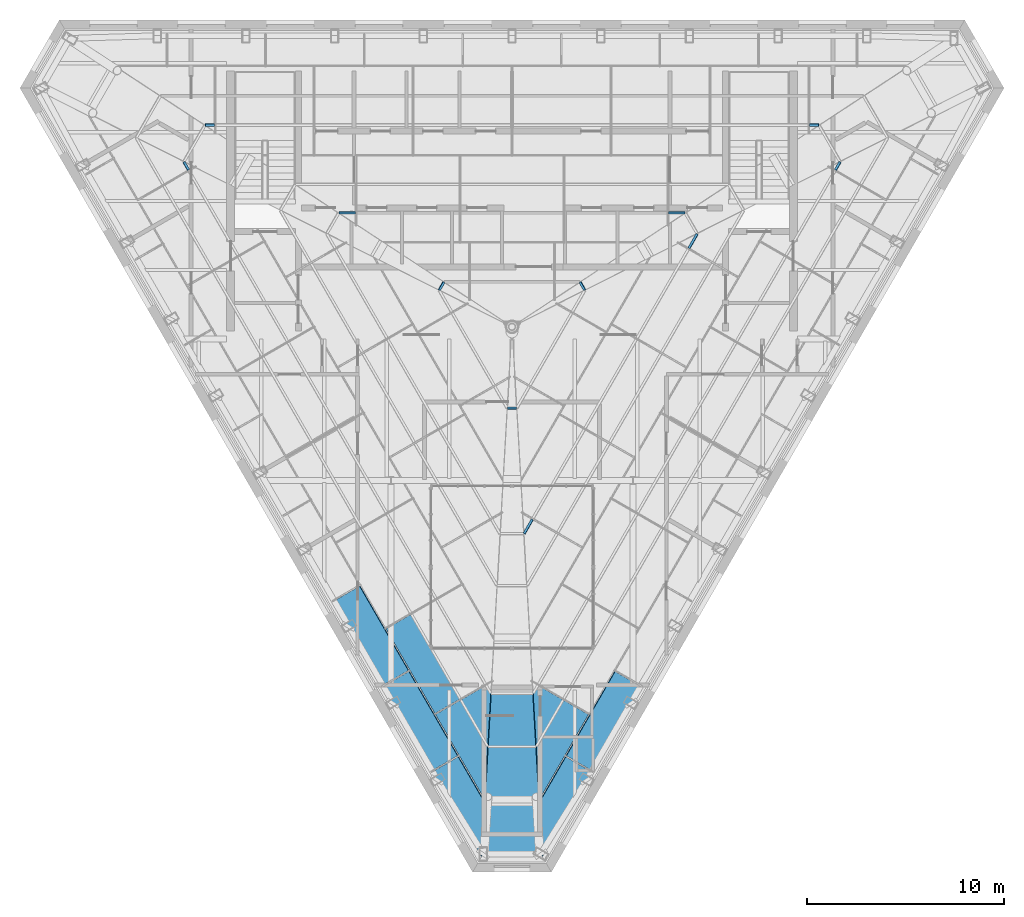
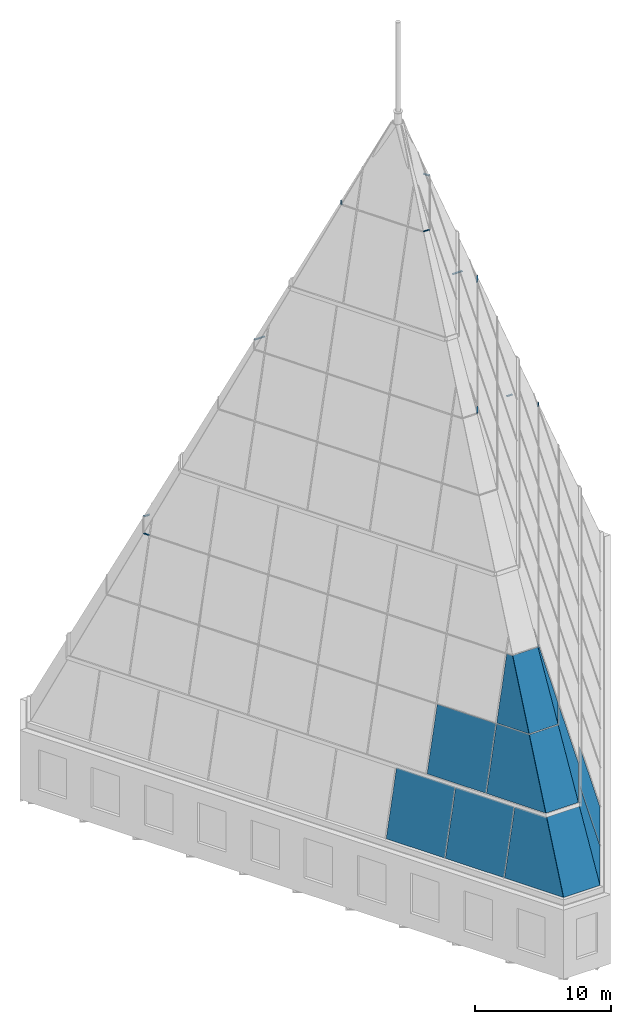
# One storey, part 24 of 36: 13 plates, 11 members, 12 elements without a shape of their own.
"""IFC4 building model written with IfcOpenShell, lengths in metres."""

from ifc_helpers import new_model, si_unit, direction, frame, origin, origin_2d, place, context, subcontext, project, spatial, polyline, rectangle, outline, extrude, clip, halfspace, material, layer, layer_set, material_profile, profile_set, type_object, element, aggregate, save


model = new_model("IFC4")

# Units and contexts
model_context = context("Model", 3, precision=1e-05, world=origin(), true_north=direction((0.0, 1.0)))
body_context = subcontext(model_context, "Body", "Model", "MODEL_VIEW")
ifc_project = project(units=[si_unit("LENGTHUNIT", "METRE"), si_unit("AREAUNIT", "SQUARE_METRE"), si_unit("VOLUMEUNIT", "CUBIC_METRE"), si_unit("PLANEANGLEUNIT", "RADIAN"), si_unit("MASSUNIT", "GRAM", prefix="KILO")], contexts=[model_context])

# Site, building, storey
site_placement = place(None, origin())
site = spatial("IfcSite", under=ifc_project, at=site_placement, CompositionType="ELEMENT")
building_placement = place(site_placement, origin())
building = spatial("IfcBuilding", under=site, at=building_placement, Name="Njiva Tower", CompositionType="ELEMENT")
storey_placement = place(building_placement, frame((0.0, 0.0, 337.8)))
storey = spatial("IfcBuildingStorey", under=building, at=storey_placement, Name="L77", CompositionType="ELEMENT", Elevation=337.8)

# Curtain wall, members
ifc_material_1 = material(Name="Glazed curtain wall", Category="glass")
ifc_layer_1 = layer(ifc_material_1, 0.16)
ifc_layer_set_1 = layer_set([ifc_layer_1], Name="Glazed curtain wall")
curtain_wall_type_1 = type_object("IfcCurtainWallType", Name="CW2 Crown glazing, faceted point, long faces", PredefinedType="NOTDEFINED", material=ifc_layer_set_1)
curtain_wall_1_placement = place(storey_placement, origin())
curtain_wall_1 = element("IfcCurtainWall", 1, at=curtain_wall_1_placement, inside=storey, type_object=curtain_wall_type_1, Name="Crown glazing face N tier 2", PredefinedType="NOTDEFINED")
ifc_material_2 = material(Name="Aluminium transom", Category="aluminium")
ifc_material_profile_1 = material_profile(ifc_material_2, rectangle(XDim=0.12, YDim=0.06, at=origin_2d()), Name="RECT 120x60")
ifc_profile_set_1 = profile_set([ifc_material_profile_1], Name="Aluminium transom")
member_type_1 = type_object("IfcMemberType", Name="CW2-T Crown glazing transom 120x60", PredefinedType="USERDEFINED", material=ifc_profile_set_1)
member_1_placement = place(storey_placement, frame((15.5934, 14.8625, 22.9905), z_axis=(-1.0, 0.0, 0.0), x_axis=(0.0, 0.963854689739, 0.266428483965)))
member_1 = element("IfcMember", 2, at=member_1_placement, type_object=member_type_1, Name="CW2-12 transom 1.2", ObjectType="TRANSOM", PredefinedType="USERDEFINED", context=body_context, shape_type="Clipping", body=[
    clip(extrude(rectangle(XDim=0.12, YDim=0.06, at=origin_2d()), origin(), (0.0, 0.0, 1.0), 0.4748), halfspace(frame((0.06, 0.0, 0.0), z_axis=(1.51e-10, -0.37621497384, -0.926532402811), x_axis=(0.0, -0.926532402811, 0.37621497384)), False)),
])
member_2_placement = place(storey_placement, frame((-15.1186, 14.8625, 22.9905), z_axis=(-1.0, 0.0, 0.0), x_axis=(0.0, 0.963854689739, 0.266428483965)))
member_2 = element("IfcMember", 3, at=member_2_placement, type_object=member_type_1, Name="CW2-12 transom 8.2", ObjectType="TRANSOM", PredefinedType="USERDEFINED", context=body_context, shape_type="Clipping", body=[
    clip(extrude(rectangle(XDim=0.12, YDim=0.06, at=origin_2d()), origin(), (0.0, 0.0, 1.0), 0.4748), halfspace(frame((0.06, 0.0, 0.4748), z_axis=(1.51e-10, -0.37621497384, 0.926532402811), x_axis=(0.0, 0.926532402811, 0.37621497384)), False)),
])
aggregate(curtain_wall_1, [member_1, member_2])

curtain_wall_2_placement = place(storey_placement, origin())
curtain_wall_2 = element("IfcCurtainWall", 4, at=curtain_wall_2_placement, inside=storey, type_object=curtain_wall_type_1, Name="Crown glazing face N tier 3", PredefinedType="NOTDEFINED")
member_3_placement = place(storey_placement, frame((8.7968, 10.4029, 39.1238), z_axis=(-1.0, 0.0, 0.0), x_axis=(0.0, 0.963854689744, 0.266428483949)))
member_3 = element("IfcMember", 5, at=member_3_placement, type_object=member_type_1, Name="CW2-13 transom 1.2", ObjectType="TRANSOM", PredefinedType="USERDEFINED", context=body_context, shape_type="Clipping", body=[
    clip(extrude(rectangle(XDim=0.12, YDim=0.06, at=origin_2d()), origin(), (0.0, 0.0, 1.0), 0.8413), halfspace(frame((0.06, 0.0, 0.0), z_axis=(1.45e-10, -0.37621497384, -0.926532402811), x_axis=(0.0, -0.926532402811, 0.37621497384)), False)),
])
member_4_placement = place(storey_placement, frame((-7.9555, 10.4029, 39.1238), z_axis=(-1.0, 0.0, 0.0), x_axis=(0.0, 0.963854689744, 0.266428483949)))
member_4 = element("IfcMember", 6, at=member_4_placement, type_object=member_type_1, Name="CW2-13 transom 5.2", ObjectType="TRANSOM", PredefinedType="USERDEFINED", context=body_context, shape_type="Clipping", body=[
    clip(extrude(rectangle(XDim=0.12, YDim=0.06, at=origin_2d()), origin(), (0.0, 0.0, 1.0), 0.8413), halfspace(frame((0.06, 0.0, 0.8413), z_axis=(1.45e-10, -0.37621497384, 0.926532402811), x_axis=(0.0, 0.926532402811, 0.37621497384)), False)),
])
aggregate(curtain_wall_2, [member_3, member_4])

# Curtain wall, member
curtain_wall_3_placement = place(storey_placement, origin())
curtain_wall_3 = element("IfcCurtainWall", 7, at=curtain_wall_3_placement, inside=storey, type_object=curtain_wall_type_1, Name="Crown glazing face SW tier 2", PredefinedType="NOTDEFINED")
member_5_placement = place(storey_placement, frame((-16.6742, 12.9903, 22.9905), z_axis=(0.499989842173, -0.866031268329, 0.0), x_axis=(-0.83472829944, -0.4819175542, 0.266428483965)))
member_5 = element("IfcMember", 8, at=member_5_placement, type_object=member_type_1, Name="CW2-32 transom 1.2", ObjectType="TRANSOM", PredefinedType="USERDEFINED", context=body_context, shape_type="Clipping", body=[
    clip(extrude(rectangle(XDim=0.12, YDim=0.06, at=origin_2d()), origin(), (0.0, 0.0, 1.0), 0.4748), halfspace(frame((0.06, 0.0, -0.0001), z_axis=(1.0474174e-05, -0.376212078697, -0.926533578308), x_axis=(0.0, -0.926533578359, 0.376212078718)), False)),
])

curtain_wall_4_placement = place(storey_placement, origin())
curtain_wall_4 = element("IfcCurtainWall", 9, at=curtain_wall_4_placement, inside=storey, type_object=curtain_wall_type_1, Name="Crown glazing face SE tier 2", PredefinedType="NOTDEFINED")
member_6_placement = place(storey_placement, frame((16.4368, 12.5791, 22.9905), z_axis=(0.499989842173, 0.866031268329, 0.0), x_axis=(0.83472829944, -0.4819175542, 0.266428483965)))
member_6 = element("IfcMember", 10, at=member_6_placement, type_object=member_type_1, Name="CW2-52 transom 8.2", ObjectType="TRANSOM", PredefinedType="USERDEFINED", context=body_context, shape_type="Clipping", body=[
    clip(extrude(rectangle(XDim=0.12, YDim=0.06, at=origin_2d()), origin(), (0.0, 0.0, 1.0), 0.4748), halfspace(frame((0.06, 0.0, 0.4749), z_axis=(1.0474174e-05, -0.376212078697, 0.926533578308), x_axis=(0.0, 0.926533578359, 0.376212078718)), False)),
])

# Curtain wall, members
curtain_wall_5_placement = place(storey_placement, origin())
curtain_wall_5 = element("IfcCurtainWall", 11, at=curtain_wall_5_placement, inside=storey, type_object=curtain_wall_type_1, Name="Crown glazing face SE tier 3", PredefinedType="NOTDEFINED")
member_7_placement = place(storey_placement, frame((0.617, -5.9024, 39.1238), z_axis=(0.500037969364, 0.866003481052, 0.0), x_axis=(0.834701516546, -0.481963941821, 0.266428483949)))
member_7 = element("IfcMember", 12, at=member_7_placement, type_object=member_type_1, Name="CW2-53 transom 1.2", ObjectType="TRANSOM", PredefinedType="USERDEFINED", context=body_context, shape_type="Clipping", body=[
    clip(extrude(rectangle(XDim=0.12, YDim=0.06, at=origin_2d()), origin(), (0.0, 0.0, 1.0), 0.8413), halfspace(frame((0.06, 0.0, 0.0), z_axis=(3.9154374e-05, -0.37620415115, -0.926536796422), x_axis=(0.0, -0.926536797133, 0.376204151438)), False)),
])
member_8_placement = place(storey_placement, frame((8.9932, 8.6056, 39.1238), z_axis=(0.500089443651, 0.865973757309, 0.0), x_axis=(0.834672867178, -0.482013555555, 0.266428483949)))
member_8 = element("IfcMember", 13, at=member_8_placement, type_object=member_type_1, Name="CW2-53 transom 5.2", ObjectType="TRANSOM", PredefinedType="USERDEFINED", context=body_context, shape_type="Clipping", body=[
    clip(extrude(rectangle(XDim=0.12, YDim=0.06, at=origin_2d()), origin(), (0.0, 0.0, 1.0), 0.8412), halfspace(frame((0.0599, 0.0, 0.8413), z_axis=(-9.2236762e-05, -0.376240470028, 0.926522045181), x_axis=(0.0, 0.926522049122, 0.376240471628)), False)),
])
aggregate(curtain_wall_5, [member_7, member_8])

# Curtain wall, member
ifc_layer_2 = layer(ifc_material_1, 0.16)
ifc_layer_set_2 = layer_set([ifc_layer_2], Name="Glazed curtain wall")
curtain_wall_type_2 = type_object("IfcCurtainWallType", Name="CW3 Crown glazing, faceted point, corner faces", PredefinedType="NOTDEFINED", material=ifc_layer_set_2)
curtain_wall_6_placement = place(storey_placement, origin())
curtain_wall_6 = element("IfcCurtainWall", 14, at=curtain_wall_6_placement, inside=storey, type_object=curtain_wall_type_2, Name="Crown glazing face NW tier 4", PredefinedType="NOTDEFINED")
ifc_material_profile_2 = material_profile(ifc_material_2, rectangle(XDim=0.12, YDim=0.06, at=origin_2d()), Name="RECT 120x60")
ifc_profile_set_2 = profile_set([ifc_material_profile_2], Name="Aluminium transom")
member_type_2 = type_object("IfcMemberType", Name="CW3-T Crown corner glazing transom 120x60", PredefinedType="USERDEFINED", material=ifc_profile_set_2)
member_9_placement = place(storey_placement, frame((-3.4628, 6.8824, 51.826), z_axis=(-0.49988803956, -0.866090034526, 0.0), x_axis=(-0.773710354461, 0.446568528514, 0.449387179101)))
member_9 = element("IfcMember", 15, at=member_9_placement, type_object=member_type_2, Name="CW3-24 transom 1.1", ObjectType="TRANSOM", PredefinedType="USERDEFINED", context=body_context, shape_type="Clipping", body=[
    clip(clip(extrude(rectangle(XDim=0.12, YDim=0.06, at=origin_2d()), origin(), (0.0, 0.0, 1.0), 0.4705), halfspace(frame((0.06, 0.0, 0.0), z_axis=(-0.000115448735, -0.025732963896, -0.999668845789), x_axis=(0.0, -0.999668852451, 0.025732964068)), False)), halfspace(frame((0.06, 0.0, 0.4705), z_axis=(0.000115447956, -0.025616811755, 0.999671828966), x_axis=(0.0, 0.999671835627, 0.025616811926)), False)),
])
aggregate(curtain_wall_6, [member_9])

curtain_wall_7_placement = place(storey_placement, origin())
curtain_wall_7 = element("IfcCurtainWall", 16, at=curtain_wall_7_placement, inside=storey, type_object=curtain_wall_type_2, Name="Crown glazing face S tier 4", PredefinedType="NOTDEFINED")
member_10_placement = place(storey_placement, frame((-0.2353, 0.4773, 51.826), z_axis=(1.0, 0.0, 0.0), x_axis=(0.0, -0.893337093872, 0.44938717907)))
member_10 = element("IfcMember", 17, at=member_10_placement, type_object=member_type_2, Name="CW3-44 transom 1.1", ObjectType="TRANSOM", PredefinedType="USERDEFINED", context=body_context, shape_type="Clipping", body=[
    clip(clip(extrude(rectangle(XDim=0.12, YDim=0.06, at=origin_2d()), origin(), (0.0, 0.0, 1.0), 0.4706), halfspace(frame((0.06, 0.0, 0.0), z_axis=(5.15e-10, -0.025674887923, -0.999670345729), x_axis=(0.0, -0.999670345729, 0.025674887923)), False)), halfspace(frame((0.06, 0.0, 0.4706), z_axis=(5.15e-10, -0.025674887923, 0.999670345729), x_axis=(0.0, 0.999670345729, 0.025674887923)), False)),
])
aggregate(curtain_wall_7, [member_10])

curtain_wall_8_placement = place(storey_placement, origin())
curtain_wall_8 = element("IfcCurtainWall", 18, at=curtain_wall_8_placement, inside=storey, type_object=curtain_wall_type_2, Name="Crown glazing face NE tier 4", PredefinedType="NOTDEFINED")
member_11_placement = place(storey_placement, frame((3.698, 6.4749, 51.826), z_axis=(-0.49988803956, 0.866090034526, 0.0), x_axis=(0.773710354461, 0.446568528514, 0.449387179101)))
member_11 = element("IfcMember", 19, at=member_11_placement, type_object=member_type_2, Name="CW3-64 transom 1.1", ObjectType="TRANSOM", PredefinedType="USERDEFINED", context=body_context, shape_type="Clipping", body=[
    clip(clip(extrude(rectangle(XDim=0.12, YDim=0.06, at=origin_2d()), origin(), (0.0, 0.0, 1.0), 0.4705), halfspace(frame((0.06, 0.0, 0.0), z_axis=(0.000115447956, -0.025616811755, -0.999671828966), x_axis=(0.0, -0.999671835627, 0.025616811926)), False)), halfspace(frame((0.06, 0.0, 0.4706), z_axis=(-0.000115448735, -0.025732963896, 0.999668845789), x_axis=(0.0, 0.999668852451, 0.025732964068)), False)),
])
aggregate(curtain_wall_8, [member_11])

# Curtain wall, plates
curtain_wall_9_placement = place(storey_placement, origin())
curtain_wall_9 = element("IfcCurtainWall", 20, at=curtain_wall_9_placement, inside=storey, type_object=curtain_wall_type_1, Name="Crown glazing face SW tier 1", PredefinedType="NOTDEFINED")
ifc_material_3 = material(Name="Clear laminated glass", Category="glass")
ifc_layer_3 = layer(ifc_material_3, 0.032)
ifc_layer_set_3 = layer_set([ifc_layer_3], Name="Clear laminated glass")
plate_type_1 = type_object("IfcPlateType", Name="CW2-P Crown glass panel 32", PredefinedType="CURTAIN_PANEL", material=ifc_layer_set_3)
plate_1_placement = place(storey_placement, frame((-6.5749, -13.6081, 6.5043), z_axis=(-0.83472112985, -0.481929472764, 0.266429387761), x_axis=(0.230731689237, 0.133219766811, 0.963854439899)))
plate_1 = element("IfcPlate", 21, at=plate_1_placement, type_object=plate_type_1, Name="CW2-31 panel 7.1", PredefinedType="CURTAIN_PANEL", context=body_context, shape_type="SweptSolid", body=[
    extrude(outline(polyline([(0.0, 0.0), (5.659971728574099, -1.009459985219785e-16), (5.660008693730805, 4.948451867694753), (1.3891987781899928e-05, 4.948501868047049), (0.0, 0.0)])), origin(), (0.0, 0.0, -1.0), 0.032),
])
plate_2_placement = place(storey_placement, frame((-4.0707, -17.9455, 6.5043), z_axis=(-0.834727048329, -0.481923150852, 0.266422280338), x_axis=(0.230725534082, 0.133216213108, 0.963856404496)))
plate_2 = element("IfcPlate", 22, at=plate_2_placement, type_object=plate_type_1, Name="CW2-31 panel 8.1", PredefinedType="CURTAIN_PANEL", context=body_context, shape_type="SweptSolid", body=[
    extrude(outline(polyline([(0.0, 0.0), (5.659971728727977, -4.040008345224111e-17), (5.660008693576923, 4.948451867870759), (3.696484894566421e-05, 4.948451867870757), (0.0, 0.0)])), origin(), (0.0, 0.0, -1.0), 0.032),
])
plate_3_placement = place(storey_placement, frame((-2.7348, -17.2435, 11.9597), z_axis=(-0.834721897793, -0.481928028617, 0.266429594036), x_axis=(-0.230731867889, -0.133219869942, -0.963854382878)))
plate_3 = element("IfcPlate", 23, at=plate_3_placement, type_object=plate_type_1, Name="CW2-31 panel 9.1", PredefinedType="CURTAIN_PANEL", context=body_context, shape_type="SweptSolid", body=[
    extrude(outline(polyline([(0.0, 0.0), (5.659971728565036, 5.806919073196581e-17), (5.660011432269445, 4.978468528230259), (3.1127638720485074e-06, 2.6803181673349568), (0.0, 0.0)])), origin(), (0.0, 0.0, -1.0), 0.032),
])
aggregate(curtain_wall_9, [plate_1, plate_2, plate_3])

# Plate
plate_4_placement = place(storey_placement, frame((-3.9161, -15.0375, 12.2488), z_axis=(-0.83472301334, -0.481929039523, 0.266424270413), x_axis=(0.230734701843, 0.133204314165, 0.963855854396)))
plate_4 = element("IfcPlate", 24, at=plate_4_placement, type_object=plate_type_1, Name="CW2-32 panel 7.1", PredefinedType="CURTAIN_PANEL", context=body_context, shape_type="SweptSolid", body=[
    extrude(outline(polyline([(0.0, 0.0), (5.541711548633483, -3.01950305037213e-17), (5.541653368366382, 4.969513530002023), (-3.510679691698382e-05, 4.969463530103185), (0.0, 0.0)])), origin(), (0.0, 0.0, -1.0), 0.032),
])

plate_5_placement = place(storey_placement, frame((-1.2328, -16.7323, 17.5902), z_axis=(-0.834725400517, -0.48192589324, 0.266422482454), x_axis=(-0.49999642673, 0.866027466789, 5.040653e-06)))
plate_5 = element("IfcPlate", 25, at=plate_5_placement, type_object=plate_type_1, Name="CW2-32 panel 8.1", PredefinedType="CURTAIN_PANEL", context=body_context, shape_type="SweptSolid", body=[
    extrude(outline(polyline([(0.0, 0.0), (2.7493064866060863, 0.0), (2.7493235173394446, 5.541711548520357), (-2.250206673153671, 5.54167102464488), (0.0, 0.0)])), origin(), (0.0, 0.0, -1.0), 0.032),
])

plate_6_placement = place(storey_placement, frame((-1.0784, -14.0308, 22.9605), z_axis=(-0.834725688479, -0.48192452662, 0.266424052283), x_axis=(-0.499993813709, 0.866028975342, 1.0973474e-05)))
plate_6 = element("IfcPlate", 26, at=plate_6_placement, type_object=plate_type_1, Name="CW2-32 panel 8.2", PredefinedType="CURTAIN_PANEL", context=body_context, shape_type="SweptSolid", body=[
    extrude(outline(polyline([(0.0, 0.0), (0.4870395154374935, 1.3877787807814457e-17), (0.48689827515737694, 5.511721474244574), (-2.2380850749312637, 5.511684905450194), (0.0, 0.0)])), origin(), (0.0, 0.0, -1.0), 0.032),
])

aggregate(curtain_wall_3, [member_5, plate_4, plate_5, plate_6])

# Curtain wall, plates
curtain_wall_10_placement = place(storey_placement, origin())
curtain_wall_10 = element("IfcCurtainWall", 27, at=curtain_wall_10_placement, inside=storey, type_object=curtain_wall_type_1, Name="Crown glazing face SE tier 1", PredefinedType="NOTDEFINED")
plate_7_placement = place(storey_placement, frame((4.0407, -17.9975, 6.5043), z_axis=(0.834721897793, -0.481928028617, 0.266429594036), x_axis=(-0.230731867889, 0.133219869942, 0.963854382878)))
plate_7 = element("IfcPlate", 28, at=plate_7_placement, type_object=plate_type_1, Name="CW2-51 panel 1.1", PredefinedType="CURTAIN_PANEL", context=body_context, shape_type="SweptSolid", body=[
    extrude(outline(polyline([(0.0, 0.0), (5.659971728565036, 1.7642002225412567e-17), (5.659968615801164, 2.6803181673349563), (-3.970370440820048e-05, 4.978468528230259), (0.0, 0.0)])), origin(), (0.0, 0.0, -1.0), 0.032),
])
plate_8_placement = place(storey_placement, frame((6.5449, -13.66, 6.5043), z_axis=(0.834727048329, -0.481923150852, 0.266422280338), x_axis=(-0.230725534082, 0.133216213108, 0.963856404496)))
plate_8 = element("IfcPlate", 29, at=plate_8_placement, type_object=plate_type_1, Name="CW2-51 panel 2.1", PredefinedType="CURTAIN_PANEL", context=body_context, shape_type="SweptSolid", body=[
    extrude(outline(polyline([(0.0, 0.0), (5.659971728727978, 1.11286576742059e-16), (5.65993476387903, 4.9484518678707605), (-3.69648489471075e-05, 4.948451867870758), (0.0, 0.0)])), origin(), (0.0, 0.0, -1.0), 0.032),
])
aggregate(curtain_wall_10, [plate_7, plate_8])

# Plate
plate_9_placement = place(storey_placement, frame((3.8861, -15.0895, 12.2488), z_axis=(0.834725400517, -0.48192589324, 0.266422482454), x_axis=(-0.230733153379, 0.133203420199, 0.963856348622)))
plate_9 = element("IfcPlate", 30, at=plate_9_placement, type_object=plate_type_1, Name="CW2-52 panel 1.1", PredefinedType="CURTAIN_PANEL", context=body_context, shape_type="SweptSolid", body=[
    extrude(outline(polyline([(0.0, 0.0), (5.541711548546526, 1.3645361967087877e-16), (5.541719997688147, 2.7493064865931034), (5.588838242454042e-05, 4.999530190344968), (0.0, 0.0)])), origin(), (0.0, 0.0, -1.0), 0.032),
])

plate_10_placement = place(storey_placement, frame((1.2311, -16.7032, 17.648), z_axis=(0.834725688479, -0.48192452662, 0.266424052283), x_axis=(0.499996910103, 0.866027187728, -1.961302e-06)))
plate_10 = element("IfcPlate", 31, at=plate_10_placement, type_object=plate_type_1, Name="CW2-52 panel 1.2", PredefinedType="CURTAIN_PANEL", context=body_context, shape_type="SweptSolid", body=[
    extrude(outline(polyline([(0.0, 0.0), (2.7249833503340137, 0.0), (2.725050624287224, 5.511721475643686), (2.2380111088935863, 5.511714939659569), (0.0, 0.0)])), origin(), (0.0, 0.0, -1.0), 0.032),
])

aggregate(curtain_wall_4, [member_6, plate_9, plate_10])

# Curtain wall, plate
curtain_wall_11_placement = place(storey_placement, origin())
curtain_wall_11 = element("IfcCurtainWall", 32, at=curtain_wall_11_placement, inside=storey, type_object=curtain_wall_type_2, Name="Crown glazing face S tier 1", PredefinedType="NOTDEFINED")
ifc_layer_4 = layer(ifc_material_3, 0.032)
ifc_layer_set_4 = layer_set([ifc_layer_4], Name="Clear laminated glass")
plate_type_2 = type_object("IfcPlateType", Name="CW3-P Crown corner glass panel 32", PredefinedType="CURTAIN_PANEL", material=ifc_layer_set_4)
plate_11_placement = place(storey_placement, frame((-1.5381, -22.3334, 6.5162), z_axis=(0.0, -0.893339344793, 0.449382704435), x_axis=(1.0, 0.0, 0.0)))
plate_11 = element("IfcPlate", 33, at=plate_11_placement, type_object=plate_type_2, Name="CW3-41 panel 1.1", PredefinedType="CURTAIN_PANEL", context=body_context, shape_type="SweptSolid", body=[
    extrude(outline(polyline([(0.0, 0.0), (3.0762, 0.0), (2.9191000000000003, 6.118615542751488), (0.15710000000000002, 6.118615542751488), (0.0, 0.0)])), origin(), (0.0, 0.0, -1.0), 0.032),
])
aggregate(curtain_wall_11, [plate_11])

# Curtain wall, plates
curtain_wall_12_placement = place(storey_placement, origin())
curtain_wall_12 = element("IfcCurtainWall", 34, at=curtain_wall_12_placement, inside=storey, type_object=curtain_wall_type_2, Name="Crown glazing face S tier 2", PredefinedType="NOTDEFINED")
plate_12_placement = place(storey_placement, frame((1.2194, -16.7574, 17.6007), z_axis=(0.0, -0.89333259046, 0.449396131293), x_axis=(-1.0, 0.0, 0.0)))
plate_12 = element("IfcPlate", 35, at=plate_12_placement, type_object=plate_type_2, Name="CW3-42 panel 1.1", PredefinedType="CURTAIN_PANEL", context=body_context, shape_type="SweptSolid", body=[
    extrude(outline(polyline([(0.0, 0.0), (2.4388, 0.0), (2.5927, 5.989370652247155), (-0.15389999999999993, 5.989370652247155), (0.0, 0.0)])), origin(), (0.0, 0.0, -1.0), 0.032),
])
plate_13_placement = place(storey_placement, frame((1.0648, -14.0524, 22.978), z_axis=(0.0, -0.893333810114, 0.449393706795), x_axis=(-1.0, 0.0, 0.0)))
plate_13 = element("IfcPlate", 36, at=plate_13_placement, type_object=plate_type_2, Name="CW3-42 panel 1.2", PredefinedType="CURTAIN_PANEL", context=body_context, shape_type="SweptSolid", body=[
    extrude(outline(polyline([(0.0, 0.0), (2.1296, 0.0), (2.2827, 5.9593624910723735), (-0.1531, 5.9593624910723735), (0.0, 0.0)])), origin(), (0.0, 0.0, -1.0), 0.032),
])
aggregate(curtain_wall_12, [plate_12, plate_13])

save(model, "model.ifc")
